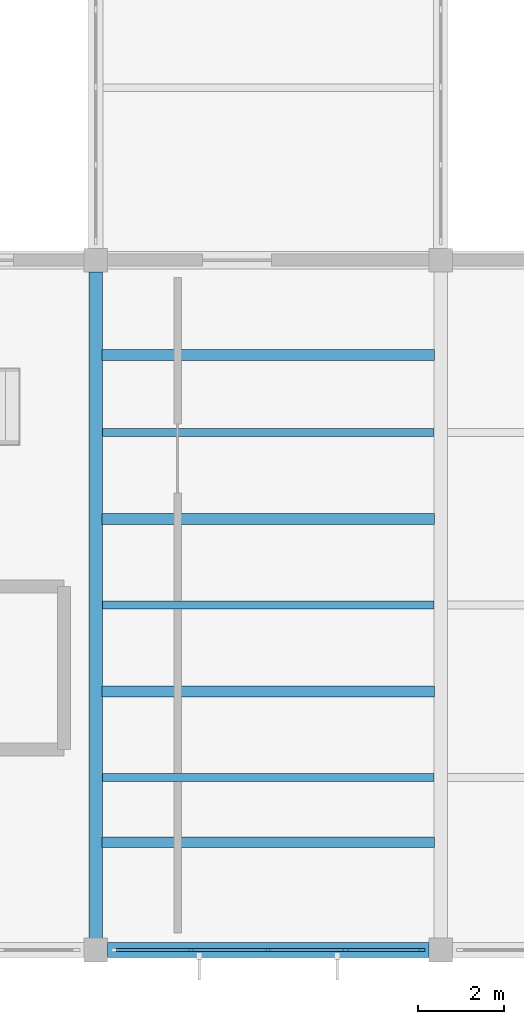
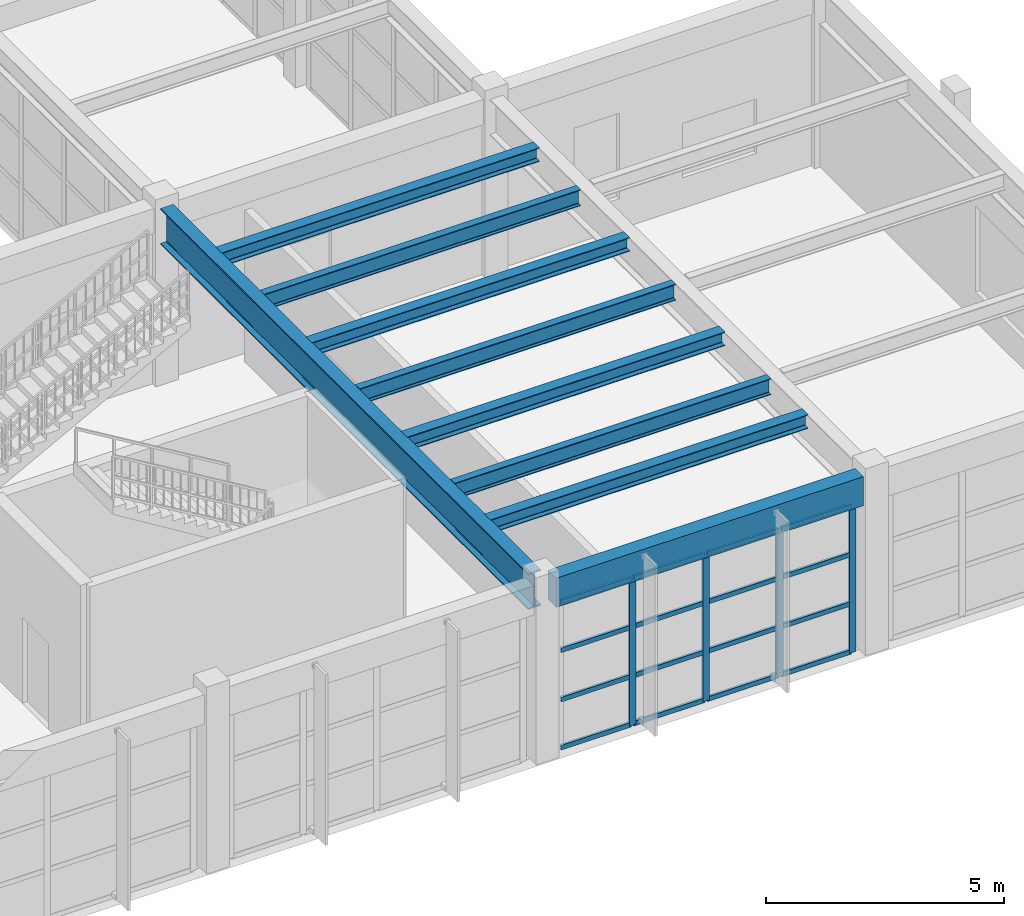
# One storey, part 9 of 59: 20 members, 9 beams, 1 element without a shape of its own.
"""IFC4 building model written with IfcOpenShell, lengths in metres."""

from ifc_helpers import new_model, si_unit, direction, frame, origin, origin_2d, place, context, subcontext, project, spatial, rectangle, i_section, extrude, material, material_profile, profile_set, type_object, element, aggregate, save


model = new_model("IFC4")

# Units and contexts
model_context = context("Model", 3, precision=1e-05, world=origin(), true_north=direction((0.0, 1.0)))
body_context = subcontext(model_context, "Body", "Model", "MODEL_VIEW")
ifc_project = project(units=[si_unit("LENGTHUNIT", "METRE"), si_unit("AREAUNIT", "SQUARE_METRE"), si_unit("VOLUMEUNIT", "CUBIC_METRE"), si_unit("PLANEANGLEUNIT", "RADIAN"), si_unit("MASSUNIT", "GRAM", prefix="KILO")], contexts=[model_context])

# Site, building, storey
site_placement = place(None, origin())
site = spatial("IfcSite", under=ifc_project, at=site_placement, CompositionType="ELEMENT")
building_placement = place(site_placement, origin())
building = spatial("IfcBuilding", under=site, at=building_placement, Name="Serraluz Foothill Cableway Terminal", CompositionType="ELEMENT")
storey_placement = place(building_placement, frame((0.0, 0.0, 4.800048828125)))
storey = spatial("IfcBuildingStorey", under=building, at=storey_placement, Name="L01", CompositionType="ELEMENT", Elevation=4.800048828125)

# Beam
ifc_material_1 = material(Name="Steel ASTM A992 Grade 50", Category="steel")
ifc_material_profile_1 = material_profile(ifc_material_1, i_section(OverallWidth=0.30810546875, OverallDepth=0.927001953125, WebThickness=0.019287109375, FlangeThickness=0.031982421875, FilletRadius=0.02587890625, at=origin_2d()), Name="W36X194")
ifc_profile_set_1 = profile_set([ifc_material_profile_1], Name="Steel ASTM A992 Grade 50")
beam_type_1 = type_object("IfcBeamType", Name="TYP-BM-W36X194", PredefinedType="BEAM", material=ifc_profile_set_1)
beam_1_placement = place(storey_placement, frame((120.0, 0.27099609375, 4.076416015625), z_axis=(0.0, 1.0, 0.0), x_axis=(-1.0, 0.0, 0.0)))
element("IfcBeam", 1, at=beam_1_placement, inside=storey, type_object=beam_type_1, Name="Transverse Girder BM-Y-L01-0274", PredefinedType="BEAM", context=body_context, shape_type="SweptSolid", body=[
    extrude(i_section(OverallWidth=0.30810546875, OverallDepth=0.927001953125, WebThickness=0.019287109375, FlangeThickness=0.031982421875, FilletRadius=0.02587890625, at=origin_2d()), origin(), (0.0, 0.0, 1.0), 15.4580078125),
])

# Curtain wall, members
ifc_material_2 = material(Name="Architectural bronze alloy C28000", Category="aluminium")
curtain_wall_type = type_object("IfcCurtainWallType", Name="TYP-CW-440X360", PredefinedType="NOTDEFINED", material=ifc_material_2)
curtain_wall_placement = place(storey_placement, origin())
curtain_wall = element("IfcCurtainWall", 2, at=curtain_wall_placement, inside=storey, type_object=curtain_wall_type, Name="Ribbed Glazed Curtain Wall CW-V3S-L01-120", PredefinedType="NOTDEFINED")
ifc_material_profile_2 = material_profile(ifc_material_2, rectangle(XDim=0.06005859375, YDim=0.159912109375, at=origin_2d()), Name="ALU MULLION 60x160")
ifc_profile_set_2 = profile_set([ifc_material_profile_2], Name="Architectural bronze alloy C28000")
member_type_1 = type_object("IfcMemberType", Name="TYP-CW-MUL-60X160", PredefinedType="MULLION", material=ifc_profile_set_2)
member_1_placement = place(storey_placement, frame((127.554931640625, 0.0, 0.0), z_axis=(0.0, 0.0, 1.0), x_axis=(0.0, -1.0, 0.0)))
member_1 = element("IfcMember", 3, at=member_1_placement, type_object=member_type_1, Name="CW-16 mullion 1", PredefinedType="MULLION", context=body_context, shape_type="SweptSolid", body=[
    extrude(rectangle(XDim=0.06005859375, YDim=0.159912109375, at=origin_2d()), origin(), (0.0, 0.0, 1.0), 3.7900390625),
])
member_2_placement = place(storey_placement, frame((125.79248046875, 0.0, 0.0), z_axis=(0.0, 0.0, 1.0), x_axis=(0.0, -1.0, 0.0)))
member_2 = element("IfcMember", 4, at=member_2_placement, type_object=member_type_1, Name="CW-16 mullion 2", PredefinedType="MULLION", context=body_context, shape_type="SweptSolid", body=[
    extrude(rectangle(XDim=0.06005859375, YDim=0.159912109375, at=origin_2d()), origin(), (0.0, 0.0, 1.0), 3.7900390625),
])
member_3_placement = place(storey_placement, frame((124.0, 0.0, 0.0), z_axis=(0.0, 0.0, 1.0), x_axis=(0.0, -1.0, 0.0)))
member_3 = element("IfcMember", 5, at=member_3_placement, type_object=member_type_1, Name="CW-16 mullion 3", PredefinedType="MULLION", context=body_context, shape_type="SweptSolid", body=[
    extrude(rectangle(XDim=0.06005859375, YDim=0.159912109375, at=origin_2d()), origin(), (0.0, 0.0, 1.0), 3.7900390625),
])
member_4_placement = place(storey_placement, frame((122.20751953125, 0.0, 0.0), z_axis=(0.0, 0.0, 1.0), x_axis=(0.0, -1.0, 0.0)))
member_4 = element("IfcMember", 6, at=member_4_placement, type_object=member_type_1, Name="CW-16 mullion 4", PredefinedType="MULLION", context=body_context, shape_type="SweptSolid", body=[
    extrude(rectangle(XDim=0.06005859375, YDim=0.159912109375, at=origin_2d()), origin(), (0.0, 0.0, 1.0), 3.7900390625),
])
ifc_material_profile_3 = material_profile(ifc_material_2, rectangle(XDim=0.06005859375, YDim=0.1201171875, at=origin_2d()), Name="ALU TRANSOM 60x120")
ifc_profile_set_3 = profile_set([ifc_material_profile_3], Name="Architectural bronze alloy C28000")
member_type_2 = type_object("IfcMemberType", Name="TYP-CW-TRN-60X120", PredefinedType="USERDEFINED", material=ifc_profile_set_3)
member_5_placement = place(storey_placement, frame((127.52490234375, 0.0, 0.030029296875), z_axis=(-1.0, 0.0, 0.0), x_axis=(0.0, -1.0, 0.0)))
member_5 = element("IfcMember", 7, at=member_5_placement, type_object=member_type_2, Name="CW-16 transom 1.1", ObjectType="TRANSOM", PredefinedType="USERDEFINED", context=body_context, shape_type="SweptSolid", body=[
    extrude(rectangle(XDim=0.06005859375, YDim=0.1201171875, at=origin_2d()), origin(), (0.0, 0.0, 1.0), 1.702392578125),
])
member_6_placement = place(storey_placement, frame((127.52490234375, 0.0, 1.26318359375), z_axis=(-1.0, 0.0, 0.0), x_axis=(0.0, -1.0, 0.0)))
member_6 = element("IfcMember", 8, at=member_6_placement, type_object=member_type_2, Name="CW-16 transom 1.2", ObjectType="TRANSOM", PredefinedType="USERDEFINED", context=body_context, shape_type="SweptSolid", body=[
    extrude(rectangle(XDim=0.06005859375, YDim=0.1201171875, at=origin_2d()), origin(), (0.0, 0.0, 1.0), 1.702392578125),
])
member_7_placement = place(storey_placement, frame((127.52490234375, 0.0, 2.526611328125), z_axis=(-1.0, 0.0, 0.0), x_axis=(0.0, -1.0, 0.0)))
member_7 = element("IfcMember", 9, at=member_7_placement, type_object=member_type_2, Name="CW-16 transom 1.3", ObjectType="TRANSOM", PredefinedType="USERDEFINED", context=body_context, shape_type="SweptSolid", body=[
    extrude(rectangle(XDim=0.06005859375, YDim=0.1201171875, at=origin_2d()), origin(), (0.0, 0.0, 1.0), 1.702392578125),
])
member_8_placement = place(storey_placement, frame((127.52490234375, 0.0, 3.760009765625), z_axis=(-1.0, 0.0, 0.0), x_axis=(0.0, -1.0, 0.0)))
member_8 = element("IfcMember", 10, at=member_8_placement, type_object=member_type_2, Name="CW-16 transom 1.4", ObjectType="TRANSOM", PredefinedType="USERDEFINED", context=body_context, shape_type="SweptSolid", body=[
    extrude(rectangle(XDim=0.06005859375, YDim=0.1201171875, at=origin_2d()), origin(), (0.0, 0.0, 1.0), 1.702392578125),
])
member_9_placement = place(storey_placement, frame((125.762451171875, 0.0, 0.030029296875), z_axis=(-1.0, 0.0, 0.0), x_axis=(0.0, -1.0, 0.0)))
member_9 = element("IfcMember", 11, at=member_9_placement, type_object=member_type_2, Name="CW-16 transom 2.1", ObjectType="TRANSOM", PredefinedType="USERDEFINED", context=body_context, shape_type="SweptSolid", body=[
    extrude(rectangle(XDim=0.06005859375, YDim=0.1201171875, at=origin_2d()), origin(), (0.0, 0.0, 1.0), 1.732421875),
])
member_10_placement = place(storey_placement, frame((125.762451171875, 0.0, 1.26318359375), z_axis=(-1.0, 0.0, 0.0), x_axis=(0.0, -1.0, 0.0)))
member_10 = element("IfcMember", 12, at=member_10_placement, type_object=member_type_2, Name="CW-16 transom 2.2", ObjectType="TRANSOM", PredefinedType="USERDEFINED", context=body_context, shape_type="SweptSolid", body=[
    extrude(rectangle(XDim=0.06005859375, YDim=0.1201171875, at=origin_2d()), origin(), (0.0, 0.0, 1.0), 1.732421875),
])
member_11_placement = place(storey_placement, frame((125.762451171875, 0.0, 2.526611328125), z_axis=(-1.0, 0.0, 0.0), x_axis=(0.0, -1.0, 0.0)))
member_11 = element("IfcMember", 13, at=member_11_placement, type_object=member_type_2, Name="CW-16 transom 2.3", ObjectType="TRANSOM", PredefinedType="USERDEFINED", context=body_context, shape_type="SweptSolid", body=[
    extrude(rectangle(XDim=0.06005859375, YDim=0.1201171875, at=origin_2d()), origin(), (0.0, 0.0, 1.0), 1.732421875),
])
member_12_placement = place(storey_placement, frame((125.762451171875, 0.0, 3.760009765625), z_axis=(-1.0, 0.0, 0.0), x_axis=(0.0, -1.0, 0.0)))
member_12 = element("IfcMember", 14, at=member_12_placement, type_object=member_type_2, Name="CW-16 transom 2.4", ObjectType="TRANSOM", PredefinedType="USERDEFINED", context=body_context, shape_type="SweptSolid", body=[
    extrude(rectangle(XDim=0.06005859375, YDim=0.1201171875, at=origin_2d()), origin(), (0.0, 0.0, 1.0), 1.732421875),
])
member_13_placement = place(storey_placement, frame((123.969970703125, 0.0, 0.030029296875), z_axis=(-1.0, 0.0, 0.0), x_axis=(0.0, -1.0, 0.0)))
member_13 = element("IfcMember", 15, at=member_13_placement, type_object=member_type_2, Name="CW-16 transom 3.1", ObjectType="TRANSOM", PredefinedType="USERDEFINED", context=body_context, shape_type="SweptSolid", body=[
    extrude(rectangle(XDim=0.06005859375, YDim=0.1201171875, at=origin_2d()), origin(), (0.0, 0.0, 1.0), 1.732421875),
])
member_14_placement = place(storey_placement, frame((123.969970703125, 0.0, 1.26318359375), z_axis=(-1.0, 0.0, 0.0), x_axis=(0.0, -1.0, 0.0)))
member_14 = element("IfcMember", 16, at=member_14_placement, type_object=member_type_2, Name="CW-16 transom 3.2", ObjectType="TRANSOM", PredefinedType="USERDEFINED", context=body_context, shape_type="SweptSolid", body=[
    extrude(rectangle(XDim=0.06005859375, YDim=0.1201171875, at=origin_2d()), origin(), (0.0, 0.0, 1.0), 1.732421875),
])
member_15_placement = place(storey_placement, frame((123.969970703125, 0.0, 2.526611328125), z_axis=(-1.0, 0.0, 0.0), x_axis=(0.0, -1.0, 0.0)))
member_15 = element("IfcMember", 17, at=member_15_placement, type_object=member_type_2, Name="CW-16 transom 3.3", ObjectType="TRANSOM", PredefinedType="USERDEFINED", context=body_context, shape_type="SweptSolid", body=[
    extrude(rectangle(XDim=0.06005859375, YDim=0.1201171875, at=origin_2d()), origin(), (0.0, 0.0, 1.0), 1.732421875),
])
member_16_placement = place(storey_placement, frame((123.969970703125, 0.0, 3.760009765625), z_axis=(-1.0, 0.0, 0.0), x_axis=(0.0, -1.0, 0.0)))
member_16 = element("IfcMember", 18, at=member_16_placement, type_object=member_type_2, Name="CW-16 transom 3.4", ObjectType="TRANSOM", PredefinedType="USERDEFINED", context=body_context, shape_type="SweptSolid", body=[
    extrude(rectangle(XDim=0.06005859375, YDim=0.1201171875, at=origin_2d()), origin(), (0.0, 0.0, 1.0), 1.732421875),
])
member_17_placement = place(storey_placement, frame((122.177490234375, 0.0, 0.030029296875), z_axis=(-1.0, 0.0, 0.0), x_axis=(0.0, -1.0, 0.0)))
member_17 = element("IfcMember", 19, at=member_17_placement, type_object=member_type_2, Name="CW-16 transom 4.1", ObjectType="TRANSOM", PredefinedType="USERDEFINED", context=body_context, shape_type="SweptSolid", body=[
    extrude(rectangle(XDim=0.06005859375, YDim=0.1201171875, at=origin_2d()), origin(), (0.0, 0.0, 1.0), 1.702392578125),
])
member_18_placement = place(storey_placement, frame((122.177490234375, 0.0, 1.26318359375), z_axis=(-1.0, 0.0, 0.0), x_axis=(0.0, -1.0, 0.0)))
member_18 = element("IfcMember", 20, at=member_18_placement, type_object=member_type_2, Name="CW-16 transom 4.2", ObjectType="TRANSOM", PredefinedType="USERDEFINED", context=body_context, shape_type="SweptSolid", body=[
    extrude(rectangle(XDim=0.06005859375, YDim=0.1201171875, at=origin_2d()), origin(), (0.0, 0.0, 1.0), 1.702392578125),
])
member_19_placement = place(storey_placement, frame((122.177490234375, 0.0, 2.526611328125), z_axis=(-1.0, 0.0, 0.0), x_axis=(0.0, -1.0, 0.0)))
member_19 = element("IfcMember", 21, at=member_19_placement, type_object=member_type_2, Name="CW-16 transom 4.3", ObjectType="TRANSOM", PredefinedType="USERDEFINED", context=body_context, shape_type="SweptSolid", body=[
    extrude(rectangle(XDim=0.06005859375, YDim=0.1201171875, at=origin_2d()), origin(), (0.0, 0.0, 1.0), 1.702392578125),
])
member_20_placement = place(storey_placement, frame((122.177490234375, 0.0, 3.760009765625), z_axis=(-1.0, 0.0, 0.0), x_axis=(0.0, -1.0, 0.0)))
member_20 = element("IfcMember", 22, at=member_20_placement, type_object=member_type_2, Name="CW-16 transom 4.4", ObjectType="TRANSOM", PredefinedType="USERDEFINED", context=body_context, shape_type="SweptSolid", body=[
    extrude(rectangle(XDim=0.06005859375, YDim=0.1201171875, at=origin_2d()), origin(), (0.0, 0.0, 1.0), 1.702392578125),
])
aggregate(curtain_wall, [member_1, member_2, member_3, member_4, member_5, member_6, member_7, member_8, member_9, member_10, member_11, member_12, member_13, member_14, member_15, member_16, member_17, member_18, member_19, member_20])

# Beams
ifc_material_profile_4 = material_profile(ifc_material_1, i_section(OverallWidth=0.25390625, OverallDepth=0.35595703125, WebThickness=0.010498046875, FlangeThickness=0.018310546875, FilletRadius=0.014892578125, at=origin_2d()), Name="W14X68")
ifc_profile_set_4 = profile_set([ifc_material_profile_4], Name="Steel ASTM A992 Grade 50")
beam_type_2 = type_object("IfcBeamType", Name="TYP-JS-W14X68", PredefinedType="JOIST", material=ifc_profile_set_4)
for number, where, z_axis, x_axis, name in (
    (23, (120.139892578125, 2.5, 4.362060546875), (1.0, 0.0, 0.0), (0.0, 1.0, 0.0), "Belvedere Deck Joist L01-081"),
    (24, (120.139892578125, 6.0, 4.362060546875), (1.0, 0.0, 0.0), (0.0, 1.0, 0.0), "Belvedere Deck Joist L01-082"),
    (25, (120.139892578125, 10.0, 4.362060546875), (1.0, 0.0, 0.0), (0.0, 1.0, 0.0), "Belvedere Deck Joist L01-083"),
    (26, (120.139892578125, 13.800048828125, 4.362060546875), (1.0, 0.0, 0.0), (0.0, 1.0, 0.0), "Belvedere Deck Joist L01-084"),
):
    element("IfcBeam", number, at=place(storey_placement, frame(where, z_axis=z_axis, x_axis=x_axis)), inside=storey, type_object=beam_type_2, Name=name, PredefinedType="JOIST", context=body_context, shape_type="SweptSolid", body=[
        extrude(i_section(OverallWidth=0.25390625, OverallDepth=0.35595703125, WebThickness=0.010498046875, FlangeThickness=0.018310546875, FilletRadius=0.014892578125, at=origin_2d()), origin(), (0.0, 0.0, 1.0), 7.72021484375),
    ])
ifc_material_profile_5 = material_profile(ifc_material_1, i_section(OverallWidth=0.180908203125, OverallDepth=0.4169921875, WebThickness=0.010986328125, FlangeThickness=0.018310546875, FilletRadius=0.013916015625, at=origin_2d()), Name="W16X57")
ifc_profile_set_5 = profile_set([ifc_material_profile_5], Name="Steel ASTM A992 Grade 50")
beam_type_3 = type_object("IfcBeamType", Name="TYP-JS-W16X57", PredefinedType="JOIST", material=ifc_profile_set_5)
for number, where, z_axis, x_axis, name in (
    (27, (120.158935546875, 4.0, 4.33154296875), (1.0, 0.0, 0.0), (0.0, 1.0, 0.0), "Secondary Floor Joist JS-L01-0101"),
    (28, (120.158935546875, 8.0, 4.33154296875), (1.0, 0.0, 0.0), (0.0, 1.0, 0.0), "Secondary Floor Joist JS-L01-0102"),
    (29, (120.158935546875, 12.0, 4.33154296875), (1.0, 0.0, 0.0), (0.0, 1.0, 0.0), "Secondary Floor Joist JS-L01-0103"),
):
    element("IfcBeam", number, at=place(storey_placement, frame(where, z_axis=z_axis, x_axis=x_axis)), inside=storey, type_object=beam_type_3, Name=name, PredefinedType="JOIST", context=body_context, shape_type="SweptSolid", body=[
        extrude(i_section(OverallWidth=0.180908203125, OverallDepth=0.4169921875, WebThickness=0.010986328125, FlangeThickness=0.018310546875, FilletRadius=0.013916015625, at=origin_2d()), origin(), (0.0, 0.0, 1.0), 7.68212890625),
    ])
ifc_material_3 = material(Name="Precast concrete C40/50", Category="concrete")
ifc_material_profile_6 = material_profile(ifc_material_3, rectangle(XDim=0.35009765625, YDim=0.75, at=origin_2d()), Name="RC SP 350x750")
ifc_profile_set_6 = profile_set([ifc_material_profile_6], Name="Precast concrete C40/50")
beam_type_4 = type_object("IfcBeamType", Name="TYP-SP-RC350X750", PredefinedType="SPANDREL", material=ifc_profile_set_6)
beam_2_placement = place(storey_placement, frame((120.27099609375, 0.0, 4.1650390625), z_axis=(1.0, 0.0, 0.0), x_axis=(0.0, 1.0, 0.0)))
element("IfcBeam", 30, at=beam_2_placement, inside=storey, type_object=beam_type_4, Name="Primary Girder BM-X-L01-0183", PredefinedType="SPANDREL", context=body_context, shape_type="SweptSolid", body=[
    extrude(rectangle(XDim=0.35009765625, YDim=0.75, at=origin_2d()), origin(), (0.0, 0.0, 1.0), 7.4580078125),
])

save(model, "model.ifc")
